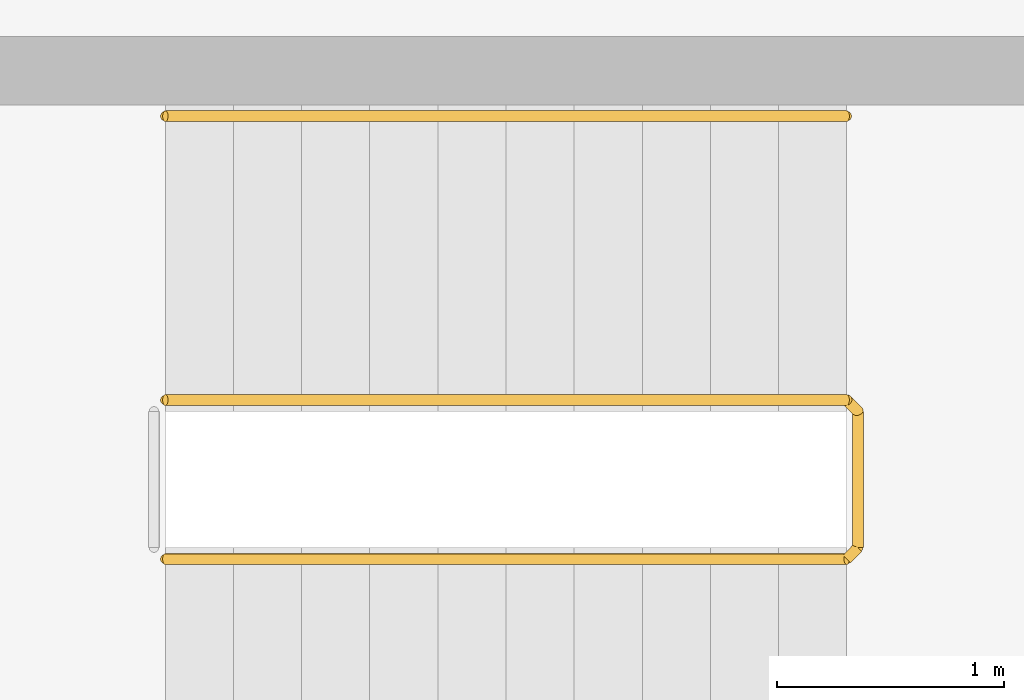
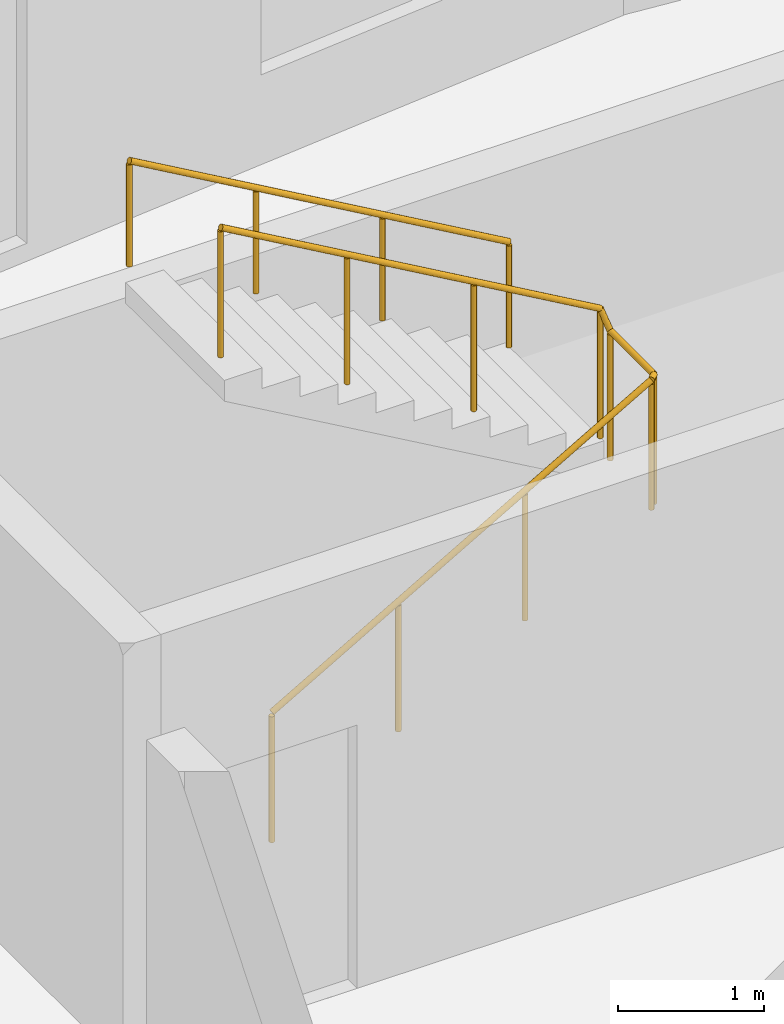
# One storey, part 11 of 11: 2 railings.
"""IFC4 building model written with IfcOpenShell, lengths in metres."""

import ifcopenshell
import ifcopenshell.guid

model = None  # the IFC model being written
_history = None  # IfcOwnerHistory: only IFC2X3 demands one
_inside = {}  # id of a spatial element -> (the spatial element, [elements in it])
_under = {}  # id of a project, library or spatial element -> (it, [spatial elements below it])
_declared = {}  # id of a project -> (the project, [libraries it declares])
_typed = {}  # id of a type object -> (the type object, [elements of that type])
_made_of = {}  # id of a material, layer set ... -> (it, [elements and type objects made of it])


def new_model(schema):
    """Start an empty IFC model of exactly this schema.

    Asked for "IFC4X3", IfcOpenShell would pick the latest addendum, in which some entities
    have other attributes; the version numbers below select the first issue.
    IFC2X3 requires an IfcOwnerHistory on every rooted entity: one is made here for all.
    """
    global model, _history
    if schema == "IFC4X3":
        model = ifcopenshell.file(schema_version=(4, 3, 0, 0))
    else:
        model = ifcopenshell.file(schema=schema)
    _inside.clear()
    _under.clear()
    _declared.clear()
    _typed.clear()
    _made_of.clear()
    _history = None
    if model.schema == "IFC2X3":
        org = make("IfcOrganization", Name="unknown")
        user = make(
            "IfcPersonAndOrganization",
            ThePerson=make("IfcPerson", FamilyName="unknown"),
            TheOrganization=org,
        )
        app = make(
            "IfcApplication",
            ApplicationDeveloper=org,
            Version="unknown",
            ApplicationFullName="unknown",
            ApplicationIdentifier="unknown",
        )
        _history = make(
            "IfcOwnerHistory",
            OwningUser=user,
            OwningApplication=app,
            ChangeAction="ADDED",
            CreationDate=0,
        )
    return model


def make(cls, **values):
    """One entity of the class cls with the attributes given. An attribute that is None is left unset."""
    return model.create_entity(
        cls, **{name: value for name, value in values.items() if value is not None}
    )


def rooted(cls, **values):
    """An entity with a GlobalId (a new one), such as an element, a storey or a relation."""
    return make(cls, GlobalId=ifcopenshell.guid.new(), OwnerHistory=_history, **values)


def si_unit(unit_type, name, prefix=None):
    """IfcSIUnit, for example si_unit("LENGTHUNIT", "METRE", prefix="MILLI")."""
    return make("IfcSIUnit", UnitType=unit_type, Prefix=prefix, Name=name)


def assignment(units):
    """IfcUnitAssignment: the units of a project."""
    return None if units is None else make("IfcUnitAssignment", Units=units)


def point(xyz):
    """IfcCartesianPoint."""
    return None if xyz is None else make("IfcCartesianPoint", Coordinates=xyz)


def direction(xyz):
    """IfcDirection."""
    return None if xyz is None else make("IfcDirection", DirectionRatios=xyz)


def frame(location, z_axis=None, x_axis=None):
    """IfcAxis2Placement3D, a coordinate frame: its origin and axes. An axis left out is left unset."""
    return make(
        "IfcAxis2Placement3D",
        Location=point(location),
        Axis=direction(z_axis),
        RefDirection=direction(x_axis),
    )


def frame_2d(location, x_axis=None):
    """IfcAxis2Placement2D, a coordinate frame in the plane: its origin and x axis."""
    return make(
        "IfcAxis2Placement2D", Location=point(location), RefDirection=direction(x_axis)
    )


def origin():
    """The frame at (0, 0, 0) with its axes left unset."""
    return frame((0.0, 0.0, 0.0))


def origin_2d():
    """The frame at (0, 0) in the plane with its x axis left unset."""
    return frame_2d((0.0, 0.0))


def place(relative_to, where):
    """IfcLocalPlacement: puts the frame where relative to a parent placement (None: the world)."""
    return make(
        "IfcLocalPlacement", PlacementRelTo=relative_to, RelativePlacement=where
    )


def context(
    kind, dimensions, precision=None, world=None, true_north=None, identifier=None
):
    """IfcGeometricRepresentationContext, for example the 3D "Model" context."""
    return make(
        "IfcGeometricRepresentationContext",
        ContextIdentifier=identifier,
        ContextType=kind,
        CoordinateSpaceDimension=dimensions,
        Precision=precision,
        WorldCoordinateSystem=world,
        TrueNorth=true_north,
    )


def subcontext(parent, identifier, kind, view, scale=None):
    """IfcGeometricRepresentationSubContext, for example "Body" below "Model"."""
    return make(
        "IfcGeometricRepresentationSubContext",
        ContextIdentifier=identifier,
        ContextType=kind,
        ParentContext=parent,
        TargetScale=scale,
        TargetView=view,
    )


def project(units=None, contexts=None):
    """IfcProject with its units and contexts."""
    return rooted(
        "IfcProject",
        Name="project",
        RepresentationContexts=contexts,
        UnitsInContext=assignment(units),
    )


def spatial(cls, under=None, at=None, **own):
    """A site, building, storey or space (cls), placed at a placement, below another one or the project."""
    s = rooted(cls, ObjectPlacement=at, **own)
    if under is not None:
        _under.setdefault(under.id(), (under, []))[1].append(s)
    return s


def profile(cls, at=None, kind="AREA", **sizes):
    """A parametric profile (cls). Its sizes go by their IFC names, for example OverallWidth=200.0."""
    return make(cls, ProfileType=kind, Position=at, **sizes)


def circle(**sizes):
    """IfcCircleProfileDef."""
    return profile("IfcCircleProfileDef", **sizes)


def extrude(swept, where, along, depth):
    """IfcExtrudedAreaSolid: the profile swept, set in the frame where, extruded along a direction by depth."""
    return make(
        "IfcExtrudedAreaSolid",
        SweptArea=swept,
        Position=where,
        ExtrudedDirection=direction(along),
        Depth=depth,
    )


def shape(context_of_items, identifier, shape_type, items):
    """IfcShapeRepresentation: the items that make up one representation, for example the "Body"."""
    return make(
        "IfcShapeRepresentation",
        ContextOfItems=context_of_items,
        RepresentationIdentifier=identifier,
        RepresentationType=shape_type,
        Items=items,
    )


def material(Name=None, Category=None):
    """IfcMaterial."""
    return make("IfcMaterial", Name=Name, Category=Category)


def made_of(thing, what):
    """Note that an element or type object is made of a material, layer set ...; save() writes the relation."""
    if what is not None:
        _made_of.setdefault(what.id(), (what, []))[1].append(thing)
    return thing


def type_object(cls, material=None, **own):
    """A type object (cls), such as IfcWallType, which elements share."""
    return made_of(rooted(cls, **own), material)


def element(
    cls,
    number,
    at=None,
    inside=None,
    cuts=None,
    type_object=None,
    material=None,
    context=None,
    identifier="Body",
    shape_type=None,
    held_by="IfcProductDefinitionShape",
    body=None,
    shapes=None,
    **own,
):
    """One element of the class cls, such as IfcWall. Its Tag is "e" and its number.

    at: its placement. inside: the storey or other place that contains it. cuts: it is an
    opening in that element (IfcRelVoidsElement). A single representation is given by context,
    identifier, shape_type and body (its items); several are given by shapes. held_by: the class
    of the entity that holds the representations. save() writes the other relations.
    """
    e = rooted(cls, Tag="e%d" % number, ObjectPlacement=at, **own)
    if body is not None:
        shapes = [shape(context, identifier, shape_type, body)]
    if shapes is not None:
        e.Representation = make(held_by, Representations=shapes)
    if inside is not None:
        _inside.setdefault(inside.id(), (inside, []))[1].append(e)
    if cuts is not None:
        rooted(
            "IfcRelVoidsElement", RelatingBuildingElement=cuts, RelatedOpeningElement=e
        )
    if type_object is not None:
        _typed.setdefault(type_object.id(), (type_object, []))[1].append(e)
    return made_of(e, material)


def aggregate(whole, parts):
    """IfcRelAggregates: a whole, such as a stair, and the parts it consists of."""
    return rooted("IfcRelAggregates", RelatingObject=whole, RelatedObjects=parts)


def save(model, path):
    """Write the relations noted so far, then the file.

    IfcRelAggregates (storeys below a building ...), IfcRelContainedInSpatialStructure (elements
    in a storey), IfcRelDefinesByType, IfcRelAssociatesMaterial and IfcRelDeclares: one each for
    every whole, place, type object, material and project.
    """
    for whole, parts in _under.values():
        aggregate(whole, parts)
    for where, things in _inside.values():
        rooted(
            "IfcRelContainedInSpatialStructure",
            RelatedElements=things,
            RelatingStructure=where,
        )
    for kind, things in _typed.values():
        rooted("IfcRelDefinesByType", RelatedObjects=things, RelatingType=kind)
    for what, things in _made_of.values():
        rooted("IfcRelAssociatesMaterial", RelatedObjects=things, RelatingMaterial=what)
    for by, libraries in _declared.values():
        rooted("IfcRelDeclares", RelatingContext=by, RelatedDefinitions=libraries)
    model.write(path)


model = new_model("IFC4")

# Units and contexts
model_context = context("Model", 3, precision=1e-05, world=origin(), true_north=direction((0.0, 1.0)))
body_context = subcontext(model_context, "Body", "Model", "MODEL_VIEW")
ifc_project = project(units=[si_unit("LENGTHUNIT", "METRE"), si_unit("AREAUNIT", "SQUARE_METRE"), si_unit("VOLUMEUNIT", "CUBIC_METRE"), si_unit("PLANEANGLEUNIT", "RADIAN"), si_unit("MASSUNIT", "GRAM", prefix="KILO")], contexts=[model_context])

# Site, building, storey
site_placement = place(None, origin())
site = spatial("IfcSite", under=ifc_project, at=site_placement, CompositionType="ELEMENT")
building_placement = place(site_placement, origin())
building = spatial("IfcBuilding", under=site, at=building_placement, Name="Brondeck Convention Tower", CompositionType="ELEMENT")
storey_placement = place(building_placement, frame((0.0, 0.0, 103.699951171875)))
storey = spatial("IfcBuildingStorey", under=building, at=storey_placement, Name="L24", CompositionType="ELEMENT", Elevation=103.699951171875)

# Railings
ifc_material = material(Name="Steel S355", Category="steel")
railing_type_1 = type_object("IfcRailingType", Name="Stair guard 1100", PredefinedType="GUARDRAIL", material=ifc_material)
railing_1_placement = place(storey_placement, frame((37.85009765625, 55.449951171875, 0.1728515625)))
element("IfcRailing", 1, at=railing_1_placement, inside=storey, type_object=railing_type_1, Name="L24 ST-AE stair guard 1", PredefinedType="GUARDRAIL", context=body_context, shape_type="SweptSolid", body=[
    extrude(circle(Radius=0.02392578125, at=origin_2d()), frame((0.0, 0.0, 1.076171875), z_axis=(0.866619684472, 0.0, 0.498969260062), x_axis=(0.0, 1.0, 0.0)), (0.0, 0.0, 1.0), 3.461669921875),
    extrude(circle(Radius=0.02392578125, at=origin_2d()), frame((3.0, 0.0, 2.80322265625), z_axis=(0.705375805398, 0.708833529934, 0.0), x_axis=(-0.708833529934, 0.705375805398, 0.0)), (0.0, 0.0, 1.0), 0.070556640625),
    extrude(circle(Radius=0.02392578125, at=origin_2d()), frame((3.0498046875, 0.050048828125, 2.80322265625), z_axis=(0.0, 1.0, 0.0), x_axis=(-1.0, 0.0, 0.0)), (0.0, 0.0, 1.0), 0.60009765625),
    extrude(circle(Radius=0.02392578125, at=origin_2d()), frame((3.0498046875, 0.650146484375, 2.80322265625), z_axis=(-0.26715648603, 0.26715648603, 0.925880566782), x_axis=(-0.707106781187, -0.707106781187, 0.0)), (0.0, 0.0, 1.0), 0.1865234375),
    extrude(circle(Radius=0.02392578125, at=origin_2d()), frame((3.0, 0.699951171875, 2.97607421875), z_axis=(-0.866619684472, 0.0, 0.498969260062), x_axis=(0.0, -1.0, 0.0)), (0.0, 0.0, 1.0), 3.461669921875),
    extrude(circle(Radius=0.02099609375, at=origin_2d()), origin(), (0.0, 0.0, 1.0), 1.052001953125),
    extrude(circle(Radius=0.02099609375, at=origin_2d()), frame((1.0, 0.0, 0.57568359375)), (0.0, 0.0, 1.0), 1.052001953125),
    extrude(circle(Radius=0.02099609375, at=origin_2d()), frame((2.0, 0.0, 1.151611328125)), (0.0, 0.0, 1.0), 1.052001953125),
    extrude(circle(Radius=0.02099609375, at=origin_2d()), frame((3.0, 0.0, 1.727294921875)), (0.0, 0.0, 1.0), 1.052001953125),
    extrude(circle(Radius=0.02099609375, at=origin_2d()), frame((3.0498046875, 0.050048828125, 1.727294921875)), (0.0, 0.0, 1.0), 1.052001953125),
    extrude(circle(Radius=0.02099609375, at=origin_2d()), frame((3.0498046875, 0.650146484375, 1.727294921875)), (0.0, 0.0, 1.0), 1.052001953125),
    extrude(circle(Radius=0.02099609375, at=origin_2d()), frame((3.0, 0.699951171875, 1.89990234375)), (0.0, 0.0, 1.0), 1.052001953125),
    extrude(circle(Radius=0.02099609375, at=origin_2d()), frame((2.0, 0.699951171875, 2.4755859375)), (0.0, 0.0, 1.0), 1.052001953125),
    extrude(circle(Radius=0.02099609375, at=origin_2d()), frame((1.0, 0.699951171875, 3.051513671875)), (0.0, 0.0, 1.0), 1.052001953125),
    extrude(circle(Radius=0.02099609375, at=origin_2d()), frame((0.0, 0.699951171875, 3.627197265625)), (0.0, 0.0, 1.0), 1.052001953125),
])
railing_type_2 = type_object("IfcRailingType", Name="Stair handrail", PredefinedType="HANDRAIL", material=ifc_material)
railing_2_placement = place(storey_placement, frame((40.85009765625, 57.39990234375, 2.07275390625)))
element("IfcRailing", 2, at=railing_2_placement, inside=storey, type_object=railing_type_2, Name="L24 ST-AE stair handrail 2", PredefinedType="HANDRAIL", context=body_context, shape_type="SweptSolid", body=[
    extrude(circle(Radius=0.02392578125, at=origin_2d()), frame((0.0, 0.0, 0.8759765625), z_axis=(-0.866619684472, 0.0, 0.498969260062), x_axis=(0.0, -1.0, 0.0)), (0.0, 0.0, 1.0), 3.461669921875),
    extrude(circle(Radius=0.02099609375, at=origin_2d()), origin(), (0.0, 0.0, 1.0), 0.851806640625),
    extrude(circle(Radius=0.02099609375, at=origin_2d()), frame((-1.0, 0.0, 0.57568359375)), (0.0, 0.0, 1.0), 0.851806640625),
    extrude(circle(Radius=0.02099609375, at=origin_2d()), frame((-2.0, 0.0, 1.151611328125)), (0.0, 0.0, 1.0), 0.851806640625),
    extrude(circle(Radius=0.02099609375, at=origin_2d()), frame((-3.0, 0.0, 1.727294921875)), (0.0, 0.0, 1.0), 0.851806640625),
])

save(model, "model.ifc")
